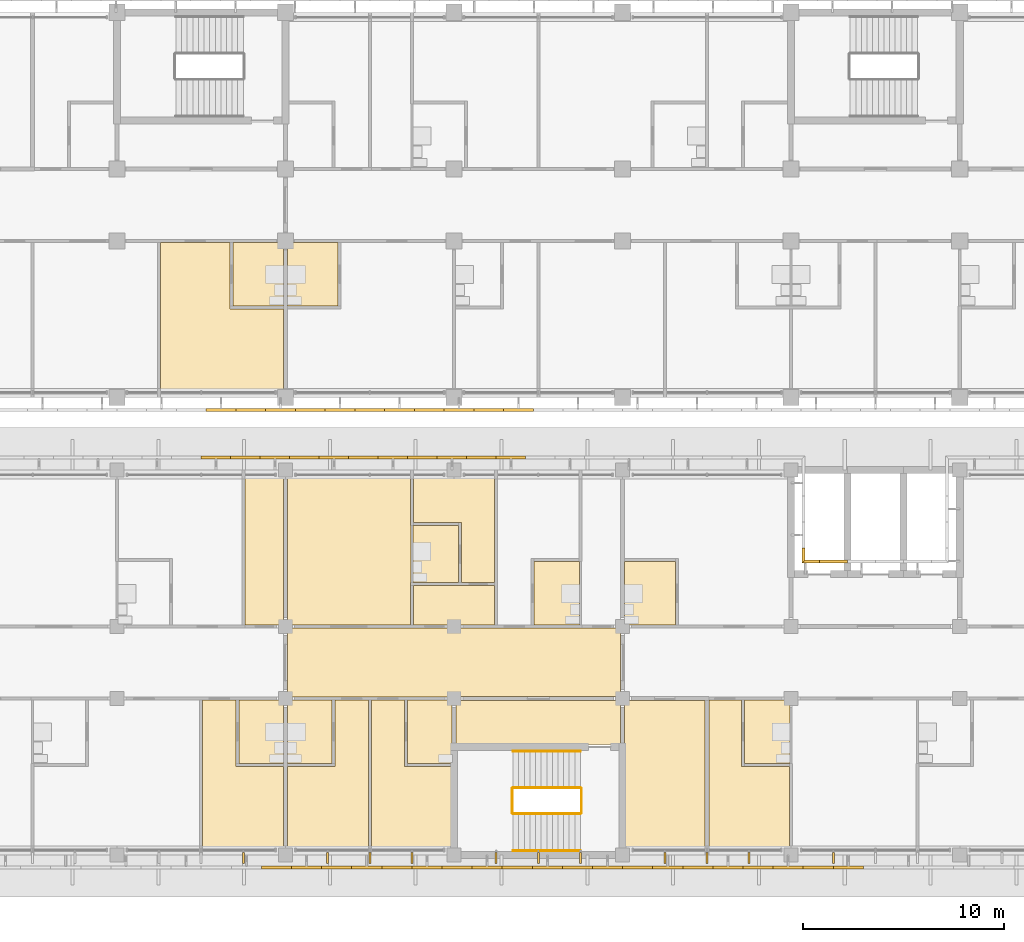
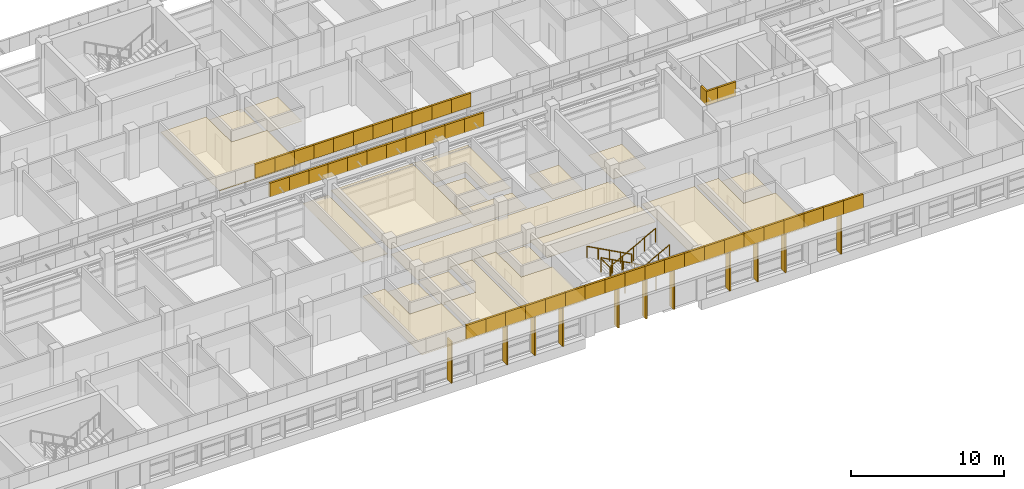
# One storey, part 66 of 71: 66 coverings, 11 shading devices, 6 railings.
"""IFC4 building model written with IfcOpenShell, lengths in metres."""

import ifcopenshell
import ifcopenshell.guid

model = None  # the IFC model being written
_history = None  # IfcOwnerHistory: only IFC2X3 demands one
_inside = {}  # id of a spatial element -> (the spatial element, [elements in it])
_under = {}  # id of a project, library or spatial element -> (it, [spatial elements below it])
_declared = {}  # id of a project -> (the project, [libraries it declares])
_typed = {}  # id of a type object -> (the type object, [elements of that type])
_made_of = {}  # id of a material, layer set ... -> (it, [elements and type objects made of it])


def new_model(schema):
    """Start an empty IFC model of exactly this schema.

    Asked for "IFC4X3", IfcOpenShell would pick the latest addendum, in which some entities
    have other attributes; the version numbers below select the first issue.
    IFC2X3 requires an IfcOwnerHistory on every rooted entity: one is made here for all.
    """
    global model, _history
    if schema == "IFC4X3":
        model = ifcopenshell.file(schema_version=(4, 3, 0, 0))
    else:
        model = ifcopenshell.file(schema=schema)
    _inside.clear()
    _under.clear()
    _declared.clear()
    _typed.clear()
    _made_of.clear()
    _history = None
    if model.schema == "IFC2X3":
        org = make("IfcOrganization", Name="unknown")
        user = make(
            "IfcPersonAndOrganization",
            ThePerson=make("IfcPerson", FamilyName="unknown"),
            TheOrganization=org,
        )
        app = make(
            "IfcApplication",
            ApplicationDeveloper=org,
            Version="unknown",
            ApplicationFullName="unknown",
            ApplicationIdentifier="unknown",
        )
        _history = make(
            "IfcOwnerHistory",
            OwningUser=user,
            OwningApplication=app,
            ChangeAction="ADDED",
            CreationDate=0,
        )
    return model


def make(cls, **values):
    """One entity of the class cls with the attributes given. An attribute that is None is left unset."""
    return model.create_entity(
        cls, **{name: value for name, value in values.items() if value is not None}
    )


def rooted(cls, **values):
    """An entity with a GlobalId (a new one), such as an element, a storey or a relation."""
    return make(cls, GlobalId=ifcopenshell.guid.new(), OwnerHistory=_history, **values)


def si_unit(unit_type, name, prefix=None):
    """IfcSIUnit, for example si_unit("LENGTHUNIT", "METRE", prefix="MILLI")."""
    return make("IfcSIUnit", UnitType=unit_type, Prefix=prefix, Name=name)


def assignment(units):
    """IfcUnitAssignment: the units of a project."""
    return None if units is None else make("IfcUnitAssignment", Units=units)


def point(xyz):
    """IfcCartesianPoint."""
    return None if xyz is None else make("IfcCartesianPoint", Coordinates=xyz)


def direction(xyz):
    """IfcDirection."""
    return None if xyz is None else make("IfcDirection", DirectionRatios=xyz)


def frame(location, z_axis=None, x_axis=None):
    """IfcAxis2Placement3D, a coordinate frame: its origin and axes. An axis left out is left unset."""
    return make(
        "IfcAxis2Placement3D",
        Location=point(location),
        Axis=direction(z_axis),
        RefDirection=direction(x_axis),
    )


def frame_2d(location, x_axis=None):
    """IfcAxis2Placement2D, a coordinate frame in the plane: its origin and x axis."""
    return make(
        "IfcAxis2Placement2D", Location=point(location), RefDirection=direction(x_axis)
    )


def origin():
    """The frame at (0, 0, 0) with its axes left unset."""
    return frame((0.0, 0.0, 0.0))


def origin_2d():
    """The frame at (0, 0) in the plane with its x axis left unset."""
    return frame_2d((0.0, 0.0))


def place(relative_to, where):
    """IfcLocalPlacement: puts the frame where relative to a parent placement (None: the world)."""
    return make(
        "IfcLocalPlacement", PlacementRelTo=relative_to, RelativePlacement=where
    )


def context(
    kind, dimensions, precision=None, world=None, true_north=None, identifier=None
):
    """IfcGeometricRepresentationContext, for example the 3D "Model" context."""
    return make(
        "IfcGeometricRepresentationContext",
        ContextIdentifier=identifier,
        ContextType=kind,
        CoordinateSpaceDimension=dimensions,
        Precision=precision,
        WorldCoordinateSystem=world,
        TrueNorth=true_north,
    )


def subcontext(parent, identifier, kind, view, scale=None):
    """IfcGeometricRepresentationSubContext, for example "Body" below "Model"."""
    return make(
        "IfcGeometricRepresentationSubContext",
        ContextIdentifier=identifier,
        ContextType=kind,
        ParentContext=parent,
        TargetScale=scale,
        TargetView=view,
    )


def project(units=None, contexts=None):
    """IfcProject with its units and contexts."""
    return rooted(
        "IfcProject",
        Name="project",
        RepresentationContexts=contexts,
        UnitsInContext=assignment(units),
    )


def spatial(cls, under=None, at=None, **own):
    """A site, building, storey or space (cls), placed at a placement, below another one or the project."""
    s = rooted(cls, ObjectPlacement=at, **own)
    if under is not None:
        _under.setdefault(under.id(), (under, []))[1].append(s)
    return s


def polyline(points):
    """IfcPolyline through the points."""
    return make("IfcPolyline", Points=[point(p) for p in points])


def profile(cls, at=None, kind="AREA", **sizes):
    """A parametric profile (cls). Its sizes go by their IFC names, for example OverallWidth=200.0."""
    return make(cls, ProfileType=kind, Position=at, **sizes)


def rectangle(**sizes):
    """IfcRectangleProfileDef."""
    return profile("IfcRectangleProfileDef", **sizes)


def circle(**sizes):
    """IfcCircleProfileDef."""
    return profile("IfcCircleProfileDef", **sizes)


def outline(outer, holes=None, kind="AREA"):
    """IfcArbitraryClosedProfileDef: a profile drawn as a closed curve; with holes, ...WithVoids."""
    if holes is None:
        return make("IfcArbitraryClosedProfileDef", ProfileType=kind, OuterCurve=outer)
    return make(
        "IfcArbitraryProfileDefWithVoids",
        ProfileType=kind,
        OuterCurve=outer,
        InnerCurves=holes,
    )


def extrude(swept, where, along, depth):
    """IfcExtrudedAreaSolid: the profile swept, set in the frame where, extruded along a direction by depth."""
    return make(
        "IfcExtrudedAreaSolid",
        SweptArea=swept,
        Position=where,
        ExtrudedDirection=direction(along),
        Depth=depth,
    )


def shape(context_of_items, identifier, shape_type, items):
    """IfcShapeRepresentation: the items that make up one representation, for example the "Body"."""
    return make(
        "IfcShapeRepresentation",
        ContextOfItems=context_of_items,
        RepresentationIdentifier=identifier,
        RepresentationType=shape_type,
        Items=items,
    )


def material(Name=None, Category=None):
    """IfcMaterial."""
    return make("IfcMaterial", Name=Name, Category=Category)


def layer(
    of_material, thickness, ventilated=None, Name=None, Category=None, Priority=None
):
    """IfcMaterialLayer: one layer of a wall or slab, of a material (None: an air gap)."""
    return make(
        "IfcMaterialLayer",
        Material=of_material,
        LayerThickness=thickness,
        IsVentilated=ventilated,
        Name=Name,
        Category=Category,
        Priority=Priority,
    )


def layer_set(layers, Name=None):
    """IfcMaterialLayerSet."""
    return make("IfcMaterialLayerSet", MaterialLayers=layers, LayerSetName=Name)


def material_profile(
    of_material, cross_section, Name=None, Category=None, Priority=None
):
    """IfcMaterialProfile: a cross section and its material."""
    return make(
        "IfcMaterialProfile",
        Name=Name,
        Material=of_material,
        Profile=cross_section,
        Priority=Priority,
        Category=Category,
    )


def profile_set(profiles, Name=None, composite=None):
    """IfcMaterialProfileSet."""
    return make(
        "IfcMaterialProfileSet",
        Name=Name,
        MaterialProfiles=profiles,
        CompositeProfile=composite,
    )


def made_of(thing, what):
    """Note that an element or type object is made of a material, layer set ...; save() writes the relation."""
    if what is not None:
        _made_of.setdefault(what.id(), (what, []))[1].append(thing)
    return thing


def type_object(cls, material=None, **own):
    """A type object (cls), such as IfcWallType, which elements share."""
    return made_of(rooted(cls, **own), material)


def element(
    cls,
    number,
    at=None,
    inside=None,
    cuts=None,
    type_object=None,
    material=None,
    context=None,
    identifier="Body",
    shape_type=None,
    held_by="IfcProductDefinitionShape",
    body=None,
    shapes=None,
    **own,
):
    """One element of the class cls, such as IfcWall. Its Tag is "e" and its number.

    at: its placement. inside: the storey or other place that contains it. cuts: it is an
    opening in that element (IfcRelVoidsElement). A single representation is given by context,
    identifier, shape_type and body (its items); several are given by shapes. held_by: the class
    of the entity that holds the representations. save() writes the other relations.
    """
    e = rooted(cls, Tag="e%d" % number, ObjectPlacement=at, **own)
    if body is not None:
        shapes = [shape(context, identifier, shape_type, body)]
    if shapes is not None:
        e.Representation = make(held_by, Representations=shapes)
    if inside is not None:
        _inside.setdefault(inside.id(), (inside, []))[1].append(e)
    if cuts is not None:
        rooted(
            "IfcRelVoidsElement", RelatingBuildingElement=cuts, RelatedOpeningElement=e
        )
    if type_object is not None:
        _typed.setdefault(type_object.id(), (type_object, []))[1].append(e)
    return made_of(e, material)


def aggregate(whole, parts):
    """IfcRelAggregates: a whole, such as a stair, and the parts it consists of."""
    return rooted("IfcRelAggregates", RelatingObject=whole, RelatedObjects=parts)


def save(model, path):
    """Write the relations noted so far, then the file.

    IfcRelAggregates (storeys below a building ...), IfcRelContainedInSpatialStructure (elements
    in a storey), IfcRelDefinesByType, IfcRelAssociatesMaterial and IfcRelDeclares: one each for
    every whole, place, type object, material and project.
    """
    for whole, parts in _under.values():
        aggregate(whole, parts)
    for where, things in _inside.values():
        rooted(
            "IfcRelContainedInSpatialStructure",
            RelatedElements=things,
            RelatingStructure=where,
        )
    for kind, things in _typed.values():
        rooted("IfcRelDefinesByType", RelatedObjects=things, RelatingType=kind)
    for what, things in _made_of.values():
        rooted("IfcRelAssociatesMaterial", RelatedObjects=things, RelatingMaterial=what)
    for by, libraries in _declared.values():
        rooted("IfcRelDeclares", RelatingContext=by, RelatedDefinitions=libraries)
    model.write(path)


model = new_model("IFC4")

# Units and contexts
model_context = context("Model", 3, precision=1e-05, world=origin(), true_north=direction((0.0, 1.0)))
body_context = subcontext(model_context, "Body", "Model", "MODEL_VIEW")
ifc_project = project(units=[si_unit("LENGTHUNIT", "METRE"), si_unit("AREAUNIT", "SQUARE_METRE"), si_unit("VOLUMEUNIT", "CUBIC_METRE"), si_unit("PLANEANGLEUNIT", "RADIAN"), si_unit("MASSUNIT", "GRAM", prefix="KILO")], contexts=[model_context])

# Site, building, storey
site_placement = place(None, origin())
site = spatial("IfcSite", under=ifc_project, at=site_placement, CompositionType="ELEMENT")
building_placement = place(site_placement, origin())
building = spatial("IfcBuilding", under=site, at=building_placement, Name="Bougainvillea Quay General Hospital", CompositionType="ELEMENT")
storey_placement = place(building_placement, frame((0.0, 0.0, 24.89990234375)))
storey = spatial("IfcBuildingStorey", under=building, at=storey_placement, Name="L05", CompositionType="ELEMENT", Elevation=24.89990234375)

# Coverings
ifc_material_1 = material(Name="Powder-coated aluminium fascia, white", Category="aluminium")
ifc_layer_1 = layer(ifc_material_1, 0.14990234375)
ifc_layer_set_1 = layer_set([ifc_layer_1], Name="Powder-coated aluminium fascia, white")
covering_type_1 = type_object("IfcCoveringType", Name="Aluminium fascia band white 150x1100", PredefinedType="CLADDING", material=ifc_layer_set_1)
covering_1_placement = place(storey_placement, frame((105.2470703125, 139.85009765625, 3.35009765625), z_axis=(0.0, 0.0, 1.0), x_axis=(1.0, 0.0, 0.0)))
element("IfcCovering", 1, at=covering_1_placement, inside=storey, type_object=covering_type_1, Name="Fascia band white e0 161", PredefinedType="CLADDING", context=body_context, shape_type="SweptSolid", body=[
    extrude(outline(polyline([(0.0, 0.0), (1.482421875, 0.0), (1.482421875, -0.150146484375), (0.0, -0.150146484375), (0.0, 0.0)])), origin(), (0.0, 0.0, 1.0), 1.10009765625),
])
covering_2_placement = place(storey_placement, frame((106.7294921875, 139.85009765625, 3.35009765625), z_axis=(0.0, 0.0, 1.0), x_axis=(1.0, 0.0, 0.0)))
element("IfcCovering", 2, at=covering_2_placement, inside=storey, type_object=covering_type_1, Name="Fascia band white e0 162", PredefinedType="CLADDING", context=body_context, shape_type="SweptSolid", body=[
    extrude(outline(polyline([(0.0, 0.0), (1.482177734375, 0.0), (1.482177734375, -0.150146484375), (0.0, -0.150146484375), (0.0, 0.0)])), origin(), (0.0, 0.0, 1.0), 1.10009765625),
])
for number, where, z_axis, x_axis, name in (
    (3, (108.211669921875, 139.85009765625, 3.35009765625), (0.0, 0.0, 1.0), (1.0, 0.0, 0.0), "Fascia band white e0 163"),
    (4, (109.694091796875, 139.85009765625, 3.35009765625), (0.0, 0.0, 1.0), (1.0, 0.0, 0.0), "Fascia band white e0 164"),
    (5, (111.176513671875, 139.85009765625, 3.35009765625), (0.0, 0.0, 1.0), (1.0, 0.0, 0.0), "Fascia band white e0 165"),
):
    element("IfcCovering", number, at=place(storey_placement, frame(where, z_axis=z_axis, x_axis=x_axis)), inside=storey, type_object=covering_type_1, Name=name, PredefinedType="CLADDING", context=body_context, shape_type="SweptSolid", body=[
        extrude(outline(polyline([(0.0, 0.0), (1.482421875, 0.0), (1.482421875, -0.150146484375), (0.0, -0.150146484375), (0.0, 0.0)])), origin(), (0.0, 0.0, 1.0), 1.10009765625),
    ])
covering_3_placement = place(storey_placement, frame((112.658935546875, 139.85009765625, 3.35009765625), z_axis=(0.0, 0.0, 1.0), x_axis=(1.0, 0.0, 0.0)))
element("IfcCovering", 6, at=covering_3_placement, inside=storey, type_object=covering_type_1, Name="Fascia band white e0 166", PredefinedType="CLADDING", context=body_context, shape_type="SweptSolid", body=[
    extrude(outline(polyline([(0.0, 0.0), (1.482177734375, 0.0), (1.482177734375, -0.150146484375), (0.0, -0.150146484375), (0.0, 0.0)])), origin(), (0.0, 0.0, 1.0), 1.10009765625),
])
for number, where, z_axis, x_axis, name in (
    (7, (114.14111328125, 139.85009765625, 3.35009765625), (0.0, 0.0, 1.0), (1.0, 0.0, 0.0), "Fascia band white e0 167"),
    (8, (115.62353515625, 139.85009765625, 3.35009765625), (0.0, 0.0, 1.0), (1.0, 0.0, 0.0), "Fascia band white e0 168"),
):
    element("IfcCovering", number, at=place(storey_placement, frame(where, z_axis=z_axis, x_axis=x_axis)), inside=storey, type_object=covering_type_1, Name=name, PredefinedType="CLADDING", context=body_context, shape_type="SweptSolid", body=[
        extrude(outline(polyline([(0.0, 0.0), (1.482421875, 0.0), (1.482421875, -0.150146484375), (0.0, -0.150146484375), (0.0, 0.0)])), origin(), (0.0, 0.0, 1.0), 1.10009765625),
    ])
covering_4_placement = place(storey_placement, frame((117.10595703125, 139.85009765625, 3.35009765625), z_axis=(0.0, 0.0, 1.0), x_axis=(1.0, 0.0, 0.0)))
element("IfcCovering", 9, at=covering_4_placement, inside=storey, type_object=covering_type_1, Name="Fascia band white e0 169", PredefinedType="CLADDING", context=body_context, shape_type="SweptSolid", body=[
    extrude(outline(polyline([(0.0, 0.0), (1.482177734375, 0.0), (1.482177734375, -0.150146484375), (0.0, -0.150146484375), (0.0, 0.0)])), origin(), (0.0, 0.0, 1.0), 1.10009765625),
])
for number, where, z_axis, x_axis, name in (
    (10, (118.588134765625, 139.85009765625, 3.35009765625), (0.0, 0.0, 1.0), (1.0, 0.0, 0.0), "Fascia band white e0 170"),
    (11, (120.070556640625, 139.85009765625, 3.35009765625), (0.0, 0.0, 1.0), (1.0, 0.0, 0.0), "Fascia band white e0 171"),
):
    element("IfcCovering", number, at=place(storey_placement, frame(where, z_axis=z_axis, x_axis=x_axis)), inside=storey, type_object=covering_type_1, Name=name, PredefinedType="CLADDING", context=body_context, shape_type="SweptSolid", body=[
        extrude(outline(polyline([(0.0, 0.0), (1.482421875, 0.0), (1.482421875, -0.150146484375), (0.0, -0.150146484375), (0.0, 0.0)])), origin(), (0.0, 0.0, 1.0), 1.10009765625),
    ])
for number, where, z_axis, x_axis, name in (
    (12, (108.0, 117.050048828125, 3.35009765625), (0.0, 0.0, 1.0), (1.0, 0.0, 0.0), "Fascia band white e0 58"),
    (13, (109.5, 117.050048828125, 3.35009765625), (0.0, 0.0, 1.0), (1.0, 0.0, 0.0), "Fascia band white e0 59"),
    (14, (111.0, 117.050048828125, 3.35009765625), (0.0, 0.0, 1.0), (1.0, 0.0, 0.0), "Fascia band white e0 60"),
    (15, (112.5, 117.050048828125, 3.35009765625), (0.0, 0.0, 1.0), (1.0, 0.0, 0.0), "Fascia band white e0 61"),
    (16, (114.0, 117.050048828125, 3.35009765625), (0.0, 0.0, 1.0), (1.0, 0.0, 0.0), "Fascia band white e0 62"),
    (17, (115.5, 117.050048828125, 3.35009765625), (0.0, 0.0, 1.0), (1.0, 0.0, 0.0), "Fascia band white e0 63"),
    (18, (117.0, 117.050048828125, 3.35009765625), (0.0, 0.0, 1.0), (1.0, 0.0, 0.0), "Fascia band white e0 64"),
    (19, (118.5, 117.050048828125, 3.35009765625), (0.0, 0.0, 1.0), (1.0, 0.0, 0.0), "Fascia band white e0 65"),
    (20, (120.0, 117.050048828125, 3.35009765625), (0.0, 0.0, 1.0), (1.0, 0.0, 0.0), "Fascia band white e0 66"),
    (21, (121.5, 117.050048828125, 3.35009765625), (0.0, 0.0, 1.0), (1.0, 0.0, 0.0), "Fascia band white e0 67"),
    (22, (123.0, 117.050048828125, 3.35009765625), (0.0, 0.0, 1.0), (1.0, 0.0, 0.0), "Fascia band white e0 68"),
    (23, (124.5, 117.050048828125, 3.35009765625), (0.0, 0.0, 1.0), (1.0, 0.0, 0.0), "Fascia band white e0 69"),
    (24, (126.0, 117.050048828125, 3.35009765625), (0.0, 0.0, 1.0), (1.0, 0.0, 0.0), "Fascia band white e0 70"),
    (25, (127.5, 117.050048828125, 3.35009765625), (0.0, 0.0, 1.0), (1.0, 0.0, 0.0), "Fascia band white e0 71"),
    (26, (129.0, 117.050048828125, 3.35009765625), (0.0, 0.0, 1.0), (1.0, 0.0, 0.0), "Fascia band white e0 72"),
    (27, (130.5, 117.050048828125, 3.35009765625), (0.0, 0.0, 1.0), (1.0, 0.0, 0.0), "Fascia band white e0 73"),
    (28, (132.0, 117.050048828125, 3.35009765625), (0.0, 0.0, 1.0), (1.0, 0.0, 0.0), "Fascia band white e0 74"),
    (29, (133.5, 117.050048828125, 3.35009765625), (0.0, 0.0, 1.0), (1.0, 0.0, 0.0), "Fascia band white e0 75"),
    (30, (135.0, 117.050048828125, 3.35009765625), (0.0, 0.0, 1.0), (1.0, 0.0, 0.0), "Fascia band white e0 76"),
    (31, (136.5, 117.050048828125, 3.35009765625), (0.0, 0.0, 1.0), (1.0, 0.0, 0.0), "Fascia band white e0 77"),
):
    element("IfcCovering", number, at=place(storey_placement, frame(where, z_axis=z_axis, x_axis=x_axis)), inside=storey, type_object=covering_type_1, Name=name, PredefinedType="CLADDING", context=body_context, shape_type="SweptSolid", body=[
        extrude(outline(polyline([(0.0, 0.0), (1.5, 0.0), (1.5, -0.150146484375), (0.0, -0.150146484375), (0.0, 0.0)])), origin(), (0.0, 0.0, 1.0), 1.10009765625),
    ])
covering_5_placement = place(storey_placement, frame((137.199951171875, 132.14990234375, 3.35009765625), z_axis=(0.0, 0.0, 1.0), x_axis=(-1.0, 0.0, 0.0)))
element("IfcCovering", 32, at=covering_5_placement, inside=storey, type_object=covering_type_1, Name="Fascia band white e0 136", PredefinedType="CLADDING", context=body_context, shape_type="SweptSolid", body=[
    extrude(outline(polyline([(0.0, 0.0), (1.39990234375, 0.0), (1.39990234375, -0.150146484375), (0.0, -0.150146484375), (0.0, 0.0)])), origin(), (0.0, 0.0, 1.0), 1.10009765625),
])
covering_6_placement = place(storey_placement, frame((135.800048828125, 132.14990234375, 3.35009765625), z_axis=(0.0, 0.0, 1.0), x_axis=(-1.0, 0.0, 0.0)))
element("IfcCovering", 33, at=covering_6_placement, inside=storey, type_object=covering_type_1, Name="Fascia band white e0 137", PredefinedType="CLADDING", context=body_context, shape_type="SweptSolid", body=[
    extrude(outline(polyline([(0.0, 0.0), (0.85009765625, 0.0), (0.699951171875, -0.150146484375), (0.0, -0.150146484375), (0.0, 0.0)])), origin(), (0.0, 0.0, 1.0), 1.10009765625),
])
covering_7_placement = place(storey_placement, frame((134.949951171875, 132.14990234375, 3.35009765625), z_axis=(0.0, 0.0, 1.0), x_axis=(0.0, 1.0, 0.0)))
element("IfcCovering", 34, at=covering_7_placement, inside=storey, type_object=covering_type_1, Name="Fascia band white e0 138", PredefinedType="CLADDING", context=body_context, shape_type="SweptSolid", body=[
    extrude(outline(polyline([(0.0, 0.0), (0.75, 0.0), (0.75, -0.150146484375), (0.150146484375, -0.150146484375), (0.0, 0.0)])), origin(), (0.0, 0.0, 1.0), 1.10009765625),
])
for number, where, z_axis, x_axis, name in (
    (35, (121.169921875, 137.35009765625, 3.35009765625), (0.0, 0.0, 1.0), (-1.0, 0.0, 0.0), "Fascia band white e0 151"),
    (36, (119.699951171875, 137.35009765625, 3.35009765625), (0.0, 0.0, 1.0), (-1.0, 0.0, 0.0), "Fascia band white e0 152"),
    (37, (118.22998046875, 137.35009765625, 3.35009765625), (0.0, 0.0, 1.0), (-1.0, 0.0, 0.0), "Fascia band white e0 153"),
    (38, (116.760009765625, 137.35009765625, 3.35009765625), (0.0, 0.0, 1.0), (-1.0, 0.0, 0.0), "Fascia band white e0 154"),
    (39, (115.2900390625, 137.35009765625, 3.35009765625), (0.0, 0.0, 1.0), (-1.0, 0.0, 0.0), "Fascia band white e0 155"),
    (40, (113.820068359375, 137.35009765625, 3.35009765625), (0.0, 0.0, 1.0), (-1.0, 0.0, 0.0), "Fascia band white e0 156"),
):
    element("IfcCovering", number, at=place(storey_placement, frame(where, z_axis=z_axis, x_axis=x_axis)), inside=storey, type_object=covering_type_1, Name=name, PredefinedType="CLADDING", context=body_context, shape_type="SweptSolid", body=[
        extrude(outline(polyline([(0.0, 0.0), (1.469970703125, 0.0), (1.469970703125, -0.14990234375), (0.0, -0.14990234375), (0.0, 0.0)])), origin(), (0.0, 0.0, 1.0), 1.10009765625),
    ])
covering_8_placement = place(storey_placement, frame((112.35009765625, 137.35009765625, 3.35009765625), z_axis=(0.0, 0.0, 1.0), x_axis=(-1.0, 0.0, 0.0)))
element("IfcCovering", 41, at=covering_8_placement, inside=storey, type_object=covering_type_1, Name="Fascia band white e0 157", PredefinedType="CLADDING", context=body_context, shape_type="SweptSolid", body=[
    extrude(outline(polyline([(0.0, 0.0), (1.47021484375, 0.0), (1.47021484375, -0.14990234375), (0.0, -0.14990234375), (0.0, 0.0)])), origin(), (0.0, 0.0, 1.0), 1.10009765625),
])
for number, where, z_axis, x_axis, name in (
    (42, (110.8798828125, 137.35009765625, 3.35009765625), (0.0, 0.0, 1.0), (-1.0, 0.0, 0.0), "Fascia band white e0 158"),
    (43, (109.409912109375, 137.35009765625, 3.35009765625), (0.0, 0.0, 1.0), (-1.0, 0.0, 0.0), "Fascia band white e0 159"),
    (44, (107.93994140625, 137.35009765625, 3.35009765625), (0.0, 0.0, 1.0), (-1.0, 0.0, 0.0), "Fascia band white e0 160"),
    (45, (106.469970703125, 137.35009765625, 3.35009765625), (0.0, 0.0, 1.0), (-1.0, 0.0, 0.0), "Fascia band white e0 161"),
):
    element("IfcCovering", number, at=place(storey_placement, frame(where, z_axis=z_axis, x_axis=x_axis)), inside=storey, type_object=covering_type_1, Name=name, PredefinedType="CLADDING", context=body_context, shape_type="SweptSolid", body=[
        extrude(outline(polyline([(0.0, 0.0), (1.469970703125, 0.0), (1.469970703125, -0.14990234375), (0.0, -0.14990234375), (0.0, 0.0)])), origin(), (0.0, 0.0, 1.0), 1.10009765625),
    ])

# Railings
ifc_material_2 = material(Name="Stainless steel 304 balustrade", Category="steel")
railing_type_1 = type_object("IfcRailingType", Name="Stair guard 1100", PredefinedType="GUARDRAIL", material=ifc_material_2)
railing_1_placement = place(storey_placement, frame((123.89990234375, 120.949951171875, 0.150146484375)))
element("IfcRailing", 46, at=railing_1_placement, inside=storey, type_object=railing_type_1, Name="L05 ST-B3 stair guard 1", PredefinedType="GUARDRAIL", context=body_context, shape_type="SweptSolid", body=[
    extrude(circle(Radius=0.02392578125, at=origin_2d()), frame((0.0, 0.0, 1.076171875), z_axis=(-0.881466638993, 0.0, 0.472246296272), x_axis=(0.0, -1.0, 0.0)), (0.0, 0.0, 1.0), 3.811767578125),
    extrude(circle(Radius=0.02099609375, at=origin_2d()), origin(), (0.0, 0.0, 1.0), 1.052001953125),
    extrude(circle(Radius=0.02099609375, at=origin_2d()), frame((-0.83984375, 0.0, 0.449951171875)), (0.0, 0.0, 1.0), 1.052001953125),
    extrude(circle(Radius=0.02099609375, at=origin_2d()), frame((-1.679931640625, 0.0, 0.89990234375)), (0.0, 0.0, 1.0), 1.052001953125),
    extrude(circle(Radius=0.02099609375, at=origin_2d()), frame((-2.52001953125, 0.0, 1.35009765625)), (0.0, 0.0, 1.0), 1.052001953125),
    extrude(circle(Radius=0.02099609375, at=origin_2d()), frame((-3.35986328125, 0.0, 1.800048828125)), (0.0, 0.0, 1.0), 1.052001953125),
])
railing_2_placement = place(storey_placement, frame((120.489990234375, 120.89990234375, 1.9501953125)))
element("IfcRailing", 47, at=railing_2_placement, inside=storey, type_object=railing_type_1, Name="L05 ST-B3 stair guard 2", PredefinedType="GUARDRAIL", context=body_context, shape_type="SweptSolid", body=[
    extrude(circle(Radius=0.02392578125, at=origin_2d()), frame((0.0, 0.0, 1.076171875), z_axis=(0.0, -1.0, 0.0), x_axis=(1.0, 0.0, 0.0)), (0.0, 0.0, 1.0), 1.199951171875),
    extrude(circle(Radius=0.02099609375, at=origin_2d()), origin(), (0.0, 0.0, 1.0), 1.052001953125),
    extrude(circle(Radius=0.02099609375, at=origin_2d()), frame((0.0, -1.199951171875, 0.0)), (0.0, 0.0, 1.0), 1.052001953125),
])
railing_3_placement = place(storey_placement, frame((120.5400390625, 119.64990234375, 2.10009765625)))
element("IfcRailing", 48, at=railing_3_placement, inside=storey, type_object=railing_type_1, Name="L05 ST-B3 stair guard 3", PredefinedType="GUARDRAIL", context=body_context, shape_type="SweptSolid", body=[
    extrude(circle(Radius=0.02392578125, at=origin_2d()), frame((0.0, 0.0, 1.076171875), z_axis=(0.881466638993, 0.0, 0.472246296272), x_axis=(0.0, 1.0, 0.0)), (0.0, 0.0, 1.0), 3.811767578125),
    extrude(circle(Radius=0.02099609375, at=origin_2d()), origin(), (0.0, 0.0, 1.0), 1.052001953125),
    extrude(circle(Radius=0.02099609375, at=origin_2d()), frame((0.83984375, 0.0, 0.449951171875)), (0.0, 0.0, 1.0), 1.052001953125),
    extrude(circle(Radius=0.02099609375, at=origin_2d()), frame((1.679931640625, 0.0, 0.89990234375)), (0.0, 0.0, 1.0), 1.052001953125),
    extrude(circle(Radius=0.02099609375, at=origin_2d()), frame((2.52001953125, 0.0, 1.35009765625)), (0.0, 0.0, 1.0), 1.052001953125),
    extrude(circle(Radius=0.02099609375, at=origin_2d()), frame((3.35986328125, 0.0, 1.800048828125)), (0.0, 0.0, 1.0), 1.052001953125),
])
railing_4_placement = place(storey_placement, frame((123.949951171875, 120.89990234375, 0.0)))
element("IfcRailing", 49, at=railing_4_placement, inside=storey, type_object=railing_type_1, Name="L05 ST-B3 stair guard 4", PredefinedType="GUARDRAIL", context=body_context, shape_type="SweptSolid", body=[
    extrude(circle(Radius=0.02392578125, at=origin_2d()), frame((0.0, 0.0, 1.076171875), z_axis=(0.0, -1.0, 0.0), x_axis=(1.0, 0.0, 0.0)), (0.0, 0.0, 1.0), 1.199951171875),
    extrude(circle(Radius=0.02099609375, at=origin_2d()), origin(), (0.0, 0.0, 1.0), 1.052001953125),
    extrude(circle(Radius=0.02099609375, at=origin_2d()), frame((0.0, -1.199951171875, 0.0)), (0.0, 0.0, 1.0), 1.052001953125),
])
ifc_material_3 = material(Name="Stainless steel 304 handrail", Category="steel")
railing_type_2 = type_object("IfcRailingType", Name="Stair handrail 900", PredefinedType="HANDRAIL", material=ifc_material_3)
railing_5_placement = place(storey_placement, frame((123.89990234375, 122.77490234375, 0.150146484375)))
element("IfcRailing", 50, at=railing_5_placement, inside=storey, type_object=railing_type_2, Name="L05 ST-B3 stair handrail 1", PredefinedType="HANDRAIL", context=body_context, shape_type="SweptSolid", body=[
    extrude(circle(Radius=0.02392578125, at=origin_2d()), frame((0.0, 0.0, 0.8759765625), z_axis=(-0.881466638993, 0.0, 0.472246296272), x_axis=(0.0, -1.0, 0.0)), (0.0, 0.0, 1.0), 3.811767578125),
    extrude(circle(Radius=0.02099609375, at=origin_2d()), origin(), (0.0, 0.0, 1.0), 0.851806640625),
    extrude(circle(Radius=0.02099609375, at=origin_2d()), frame((-0.83984375, 0.0, 0.449951171875)), (0.0, 0.0, 1.0), 0.851806640625),
    extrude(circle(Radius=0.02099609375, at=origin_2d()), frame((-1.679931640625, 0.0, 0.89990234375)), (0.0, 0.0, 1.0), 0.851806640625),
    extrude(circle(Radius=0.02099609375, at=origin_2d()), frame((-2.52001953125, 0.0, 1.35009765625)), (0.0, 0.0, 1.0), 0.851806640625),
    extrude(circle(Radius=0.02099609375, at=origin_2d()), frame((-3.35986328125, 0.0, 1.800048828125)), (0.0, 0.0, 1.0), 0.851806640625),
])
railing_6_placement = place(storey_placement, frame((120.5400390625, 117.824951171875, 2.10009765625)))
element("IfcRailing", 51, at=railing_6_placement, inside=storey, type_object=railing_type_2, Name="L05 ST-B3 stair handrail 2", PredefinedType="HANDRAIL", context=body_context, shape_type="SweptSolid", body=[
    extrude(circle(Radius=0.02392578125, at=origin_2d()), frame((0.0, 0.0, 0.8759765625), z_axis=(0.881466638993, 0.0, 0.472246296272), x_axis=(0.0, 1.0, 0.0)), (0.0, 0.0, 1.0), 3.811767578125),
    extrude(circle(Radius=0.02099609375, at=origin_2d()), origin(), (0.0, 0.0, 1.0), 0.851806640625),
    extrude(circle(Radius=0.02099609375, at=origin_2d()), frame((0.83984375, 0.0, 0.449951171875)), (0.0, 0.0, 1.0), 0.851806640625),
    extrude(circle(Radius=0.02099609375, at=origin_2d()), frame((1.679931640625, 0.0, 0.89990234375)), (0.0, 0.0, 1.0), 0.851806640625),
    extrude(circle(Radius=0.02099609375, at=origin_2d()), frame((2.52001953125, 0.0, 1.35009765625)), (0.0, 0.0, 1.0), 0.851806640625),
    extrude(circle(Radius=0.02099609375, at=origin_2d()), frame((3.35986328125, 0.0, 1.800048828125)), (0.0, 0.0, 1.0), 0.851806640625),
])

# Coverings
ifc_material_4 = material(Name="Mineral fibre ceiling tile")
ifc_layer_2 = layer(ifc_material_4, 0.030029296875)
ifc_layer_set_2 = layer_set([ifc_layer_2], Name="Mineral fibre ceiling tile")
covering_type_2 = type_object("IfcCoveringType", Name="Suspended ceiling mineral fibre tile", PredefinedType="CEILING", material=ifc_layer_set_2)
covering_9_placement = place(storey_placement, frame((0.0, 0.0, 2.7001953125)))
element("IfcCovering", 52, at=covering_9_placement, inside=storey, type_object=covering_type_2, Name="Ceiling Refuge Room RR-B3-L05", PredefinedType="CEILING", context=body_context, shape_type="SweptSolid", body=[
    extrude(outline(polyline([(130.10009765625, 117.60009765625), (130.10009765625, 125.300048828125), (126.10009765625, 125.300048828125), (126.10009765625, 117.60009765625), (130.10009765625, 117.60009765625)])), origin(), (0.0, 0.0, 1.0), 0.02978515625),
])
covering_10_placement = place(storey_placement, frame((0.0, 0.0, 2.7001953125)))
element("IfcCovering", 53, at=covering_10_placement, inside=storey, type_object=covering_type_2, Name="Ceiling Smoke-proof Vestibule ST-B3", PredefinedType="CEILING", context=body_context, shape_type="SweptSolid", body=[
    extrude(outline(polyline([(125.89990234375, 123.10009765625), (125.89990234375, 125.300048828125), (117.699951171875, 125.300048828125), (117.699951171875, 123.10009765625), (125.89990234375, 123.10009765625)])), origin(), (0.0, 0.0, 1.0), 0.02978515625),
])
covering_11_placement = place(storey_placement, frame((0.0, 0.0, 2.7001953125)))
element("IfcCovering", 54, at=covering_11_placement, inside=storey, type_object=covering_type_2, Name="Ceiling Two-bed Patient Room 05A15", PredefinedType="CEILING", context=body_context, shape_type="SweptSolid", body=[
    extrude(outline(polyline([(109.10009765625, 140.39990234375), (109.10009765625, 144.824951171875), (106.425048828125, 144.824951171875), (106.425048828125, 148.125), (102.97509765625, 148.125), (102.97509765625, 140.39990234375), (109.10009765625, 140.39990234375)])), origin(), (0.0, 0.0, 1.0), 0.02978515625),
])
covering_12_placement = place(storey_placement, frame((0.0, 0.0, 2.400146484375)))
element("IfcCovering", 55, at=covering_12_placement, inside=storey, type_object=covering_type_2, Name="Ceiling En-suite 05A15", PredefinedType="CEILING", context=body_context, shape_type="SweptSolid", body=[
    extrude(outline(polyline([(106.574951171875, 144.97509765625), (109.10009765625, 144.97509765625), (109.10009765625, 148.125), (106.574951171875, 148.125), (106.574951171875, 144.97509765625)])), origin(), (0.0, 0.0, 1.0), 0.030029296875),
])
covering_13_placement = place(storey_placement, frame((0.0, 0.0, 2.400146484375)))
element("IfcCovering", 56, at=covering_13_placement, inside=storey, type_object=covering_type_2, Name="Ceiling En-suite 05A17", PredefinedType="CEILING", context=body_context, shape_type="SweptSolid", body=[
    extrude(outline(polyline([(109.300048828125, 144.97509765625), (111.824951171875, 144.97509765625), (111.824951171875, 148.125), (109.300048828125, 148.125), (109.300048828125, 144.97509765625)])), origin(), (0.0, 0.0, 1.0), 0.030029296875),
])
covering_14_placement = place(storey_placement, frame((0.0, 0.0, 2.400146484375)))
element("IfcCovering", 57, at=covering_14_placement, inside=storey, type_object=covering_type_2, Name="Ceiling Cleaners' Store 05B17", PredefinedType="CEILING", context=body_context, shape_type="SweptSolid", body=[
    extrude(outline(polyline([(107.175048828125, 136.800048828125), (107.175048828125, 129.074951171875), (109.10009765625, 129.074951171875), (109.10009765625, 136.800048828125), (107.175048828125, 136.800048828125)])), origin(), (0.0, 0.0, 1.0), 0.030029296875),
])
covering_15_placement = place(storey_placement, frame((0.0, 0.0, 2.7001953125)))
element("IfcCovering", 58, at=covering_15_placement, inside=storey, type_object=covering_type_2, Name="Ceiling Patient Room 05B21", PredefinedType="CEILING", context=body_context, shape_type="SweptSolid", body=[
    extrude(outline(polyline([(109.10009765625, 117.60009765625), (109.10009765625, 122.02490234375), (106.72509765625, 122.02490234375), (106.72509765625, 125.324951171875), (105.074951171875, 125.324951171875), (105.074951171875, 117.60009765625), (109.10009765625, 117.60009765625)])), origin(), (0.0, 0.0, 1.0), 0.02978515625),
])
covering_16_placement = place(storey_placement, frame((0.0, 0.0, 2.400146484375)))
element("IfcCovering", 59, at=covering_16_placement, inside=storey, type_object=covering_type_2, Name="Ceiling En-suite 05B21", PredefinedType="CEILING", context=body_context, shape_type="SweptSolid", body=[
    extrude(outline(polyline([(109.10009765625, 125.324951171875), (106.875, 125.324951171875), (106.875, 122.175048828125), (109.10009765625, 122.175048828125), (109.10009765625, 125.324951171875)])), origin(), (0.0, 0.0, 1.0), 0.030029296875),
])
covering_17_placement = place(storey_placement, frame((0.0, 0.0, 2.7001953125)))
element("IfcCovering", 60, at=covering_17_placement, inside=storey, type_object=covering_type_2, Name="Ceiling Oncology Patient Room 05B22", PredefinedType="CEILING", context=body_context, shape_type="SweptSolid", body=[
    extrude(outline(polyline([(113.324951171875, 117.60009765625), (113.324951171875, 125.324951171875), (111.675048828125, 125.324951171875), (111.675048828125, 122.02490234375), (109.300048828125, 122.02490234375), (109.300048828125, 117.60009765625), (113.324951171875, 117.60009765625)])), origin(), (0.0, 0.0, 1.0), 0.02978515625),
])
covering_18_placement = place(storey_placement, frame((0.0, 0.0, 2.400146484375)))
element("IfcCovering", 61, at=covering_18_placement, inside=storey, type_object=covering_type_2, Name="Ceiling En-suite 05B22", PredefinedType="CEILING", context=body_context, shape_type="SweptSolid", body=[
    extrude(outline(polyline([(109.300048828125, 125.324951171875), (109.300048828125, 122.175048828125), (111.52490234375, 122.175048828125), (111.52490234375, 125.324951171875), (109.300048828125, 125.324951171875)])), origin(), (0.0, 0.0, 1.0), 0.030029296875),
])
covering_19_placement = place(storey_placement, frame((0.0, 0.0, 2.7001953125)))
element("IfcCovering", 62, at=covering_19_placement, inside=storey, type_object=covering_type_2, Name="Ceiling Oncology Patient Room 05B23", PredefinedType="CEILING", context=body_context, shape_type="SweptSolid", body=[
    extrude(outline(polyline([(117.52490234375, 117.60009765625), (117.52490234375, 122.02490234375), (115.125, 122.02490234375), (115.125, 125.324951171875), (113.47509765625, 125.324951171875), (113.47509765625, 117.60009765625), (117.52490234375, 117.60009765625)])), origin(), (0.0, 0.0, 1.0), 0.02978515625),
])
covering_20_placement = place(storey_placement, frame((0.0, 0.0, 2.400146484375)))
element("IfcCovering", 63, at=covering_20_placement, inside=storey, type_object=covering_type_2, Name="Ceiling En-suite 05B23", PredefinedType="CEILING", context=body_context, shape_type="SweptSolid", body=[
    extrude(outline(polyline([(115.27490234375, 125.324951171875), (115.27490234375, 122.175048828125), (117.550048828125, 122.175048828125), (117.550048828125, 122.89990234375), (117.5, 122.89990234375), (117.5, 125.324951171875), (115.27490234375, 125.324951171875)])), origin(), (0.0, 0.0, 1.0), 0.030029296875),
])
covering_21_placement = place(storey_placement, frame((0.0, 0.0, 2.7001953125)))
element("IfcCovering", 64, at=covering_21_placement, inside=storey, type_object=covering_type_2, Name="Ceiling Nurses' Station 05B24", PredefinedType="CEILING", context=body_context, shape_type="SweptSolid", body=[
    extrude(outline(polyline([(109.300048828125, 136.800048828125), (109.300048828125, 129.074951171875), (115.425048828125, 129.074951171875), (115.425048828125, 131.175048828125), (115.449951171875, 131.175048828125), (115.449951171875, 134.02490234375), (115.425048828125, 134.02490234375), (115.425048828125, 136.800048828125), (109.300048828125, 136.800048828125)])), origin(), (0.0, 0.0, 1.0), 0.02978515625),
])
covering_22_placement = place(storey_placement, frame((0.0, 0.0, 2.7001953125)))
element("IfcCovering", 65, at=covering_22_placement, inside=storey, type_object=covering_type_2, Name="Ceiling Protective Isolation Room 05B25", PredefinedType="CEILING", context=body_context, shape_type="SweptSolid", body=[
    extrude(outline(polyline([(115.574951171875, 136.800048828125), (115.574951171875, 134.175048828125), (117.97509765625, 134.175048828125), (117.97509765625, 131.175048828125), (119.625, 131.175048828125), (119.625, 136.800048828125), (115.574951171875, 136.800048828125)])), origin(), (0.0, 0.0, 1.0), 0.02978515625),
])
covering_23_placement = place(storey_placement, frame((0.0, 0.0, 2.400146484375)))
element("IfcCovering", 66, at=covering_23_placement, inside=storey, type_object=covering_type_2, Name="Ceiling Isolation Anteroom 05B25", PredefinedType="CEILING", context=body_context, shape_type="SweptSolid", body=[
    extrude(outline(polyline([(115.574951171875, 131.02490234375), (115.574951171875, 129.074951171875), (119.625, 129.074951171875), (119.625, 131.02490234375), (115.574951171875, 131.02490234375)])), origin(), (0.0, 0.0, 1.0), 0.030029296875),
])
covering_24_placement = place(storey_placement, frame((0.0, 0.0, 2.400146484375)))
element("IfcCovering", 67, at=covering_24_placement, inside=storey, type_object=covering_type_2, Name="Ceiling En-suite 05B25", PredefinedType="CEILING", context=body_context, shape_type="SweptSolid", body=[
    extrude(outline(polyline([(115.550048828125, 134.02490234375), (115.550048828125, 131.175048828125), (117.824951171875, 131.175048828125), (117.824951171875, 134.02490234375), (115.550048828125, 134.02490234375)])), origin(), (0.0, 0.0, 1.0), 0.030029296875),
])
covering_25_placement = place(storey_placement, frame((0.0, 0.0, 2.400146484375)))
element("IfcCovering", 68, at=covering_25_placement, inside=storey, type_object=covering_type_2, Name="Ceiling En-suite 05B26", PredefinedType="CEILING", context=body_context, shape_type="SweptSolid", body=[
    extrude(outline(polyline([(121.574951171875, 132.22509765625), (121.574951171875, 129.074951171875), (123.85009765625, 129.074951171875), (123.85009765625, 132.22509765625), (121.574951171875, 132.22509765625)])), origin(), (0.0, 0.0, 1.0), 0.030029296875),
])
covering_26_placement = place(storey_placement, frame((0.0, 0.0, 2.400146484375)))
element("IfcCovering", 69, at=covering_26_placement, inside=storey, type_object=covering_type_2, Name="Ceiling En-suite 05B28", PredefinedType="CEILING", context=body_context, shape_type="SweptSolid", body=[
    extrude(outline(polyline([(126.10009765625, 132.22509765625), (126.10009765625, 129.074951171875), (128.625, 129.074951171875), (128.625, 132.22509765625), (126.10009765625, 132.22509765625)])), origin(), (0.0, 0.0, 1.0), 0.030029296875),
])
covering_27_placement = place(storey_placement, frame((0.0, 0.0, 2.7001953125)))
element("IfcCovering", 70, at=covering_27_placement, inside=storey, type_object=covering_type_2, Name="Ceiling Patient Room 05B29", PredefinedType="CEILING", context=body_context, shape_type="SweptSolid", body=[
    extrude(outline(polyline([(134.324951171875, 117.60009765625), (134.324951171875, 122.02490234375), (131.925048828125, 122.02490234375), (131.925048828125, 125.324951171875), (130.300048828125, 125.324951171875), (130.300048828125, 117.60009765625), (134.324951171875, 117.60009765625)])), origin(), (0.0, 0.0, 1.0), 0.02978515625),
])
covering_28_placement = place(storey_placement, frame((0.0, 0.0, 2.400146484375)))
element("IfcCovering", 71, at=covering_28_placement, inside=storey, type_object=covering_type_2, Name="Ceiling En-suite 05B29", PredefinedType="CEILING", context=body_context, shape_type="SweptSolid", body=[
    extrude(outline(polyline([(132.074951171875, 125.324951171875), (132.074951171875, 122.175048828125), (134.35009765625, 122.175048828125), (134.35009765625, 125.324951171875), (132.074951171875, 125.324951171875)])), origin(), (0.0, 0.0, 1.0), 0.030029296875),
])
covering_29_placement = place(storey_placement, frame((0.0, 0.0, 2.400146484375)))
element("IfcCovering", 72, at=covering_29_placement, inside=storey, type_object=covering_type_2, Name="Ceiling Ward Corridor B3", PredefinedType="CEILING", context=body_context, shape_type="SweptSolid", body=[
    extrude(outline(polyline([(109.300048828125, 125.47509765625), (117.5, 125.47509765625), (117.5, 125.5), (125.89990234375, 125.5), (125.89990234375, 128.925048828125), (109.300048828125, 128.925048828125), (109.300048828125, 125.47509765625)])), origin(), (0.0, 0.0, 1.0), 0.030029296875),
])

# Shading devices
ifc_material_5 = material(Name="Powder-coated aluminium fin, white", Category="aluminium")
ifc_material_profile = material_profile(ifc_material_5, rectangle(XDim=0.550048828125, YDim=0.10009765625, at=origin_2d()))
ifc_profile_set = profile_set([ifc_material_profile], Name="Powder-coated aluminium fin, white")
shading_device_type = type_object("IfcShadingDeviceType", Name="Vertical fin 550x100", PredefinedType="USERDEFINED", material=ifc_profile_set)
for number, where, z_axis, x_axis, name in (
    (73, (136.5, 117.455078125, 0.0), (0.0, 0.0, 1.0), (0.0, -1.0, 0.0), "Vertical fin V5B L05 01.12"),
    (74, (132.300048828125, 117.455078125, 0.0), (0.0, 0.0, 1.0), (0.0, -1.0, 0.0), "Vertical fin V5B L05 01.13"),
    (75, (130.199951171875, 117.455078125, 0.0), (0.0, 0.0, 1.0), (0.0, -1.0, 0.0), "Vertical fin V5B L05 01.14"),
    (76, (128.10009765625, 117.455078125, 0.0), (0.0, 0.0, 1.0), (0.0, -1.0, 0.0), "Vertical fin V5B L05 01.15"),
    (77, (123.89990234375, 117.455078125, 0.0), (0.0, 0.0, 1.0), (0.0, -1.0, 0.0), "Vertical fin V5B L05 01.16"),
    (78, (121.800048828125, 117.455078125, 0.0), (0.0, 0.0, 1.0), (0.0, -1.0, 0.0), "Vertical fin V5B L05 01.17"),
    (79, (119.699951171875, 117.455078125, 0.0), (0.0, 0.0, 1.0), (0.0, -1.0, 0.0), "Vertical fin V5B L05 01.18"),
    (80, (115.5, 117.455078125, 0.0), (0.0, 0.0, 1.0), (0.0, -1.0, 0.0), "Vertical fin V5B L05 01.19"),
    (81, (113.39990234375, 117.455078125, 0.0), (0.0, 0.0, 1.0), (0.0, -1.0, 0.0), "Vertical fin V5B L05 01.20"),
    (82, (111.300048828125, 117.455078125, 0.0), (0.0, 0.0, 1.0), (0.0, -1.0, 0.0), "Vertical fin V5B L05 01.21"),
    (83, (107.10009765625, 117.455078125, 0.0), (0.0, 0.0, 1.0), (0.0, -1.0, 0.0), "Vertical fin V5B L05 01.22"),
):
    element("IfcShadingDevice", number, at=place(storey_placement, frame(where, z_axis=z_axis, x_axis=x_axis)), inside=storey, type_object=shading_device_type, Name=name, ObjectType="Vertical fin", PredefinedType="USERDEFINED", context=body_context, shape_type="SweptSolid", body=[
        extrude(rectangle(XDim=0.550048828125, YDim=0.10009765625, at=origin_2d()), origin(), (0.0, 0.0, 1.0), 3.330078125),
    ])

save(model, "model.ifc")
